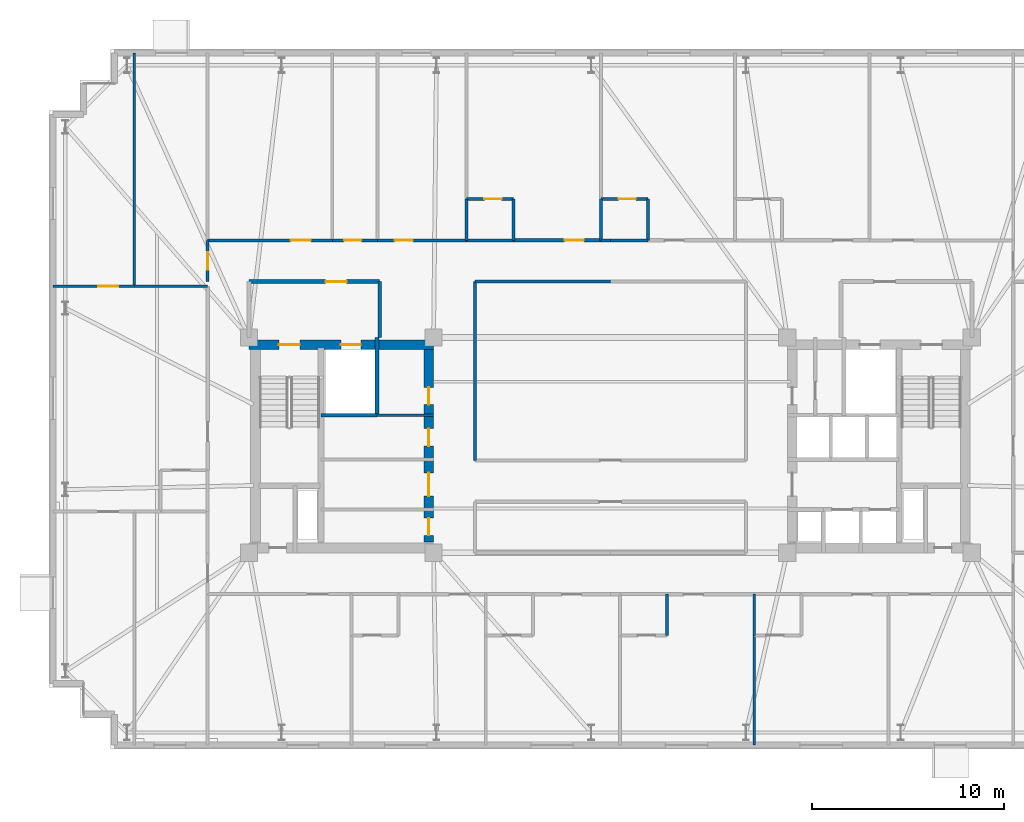
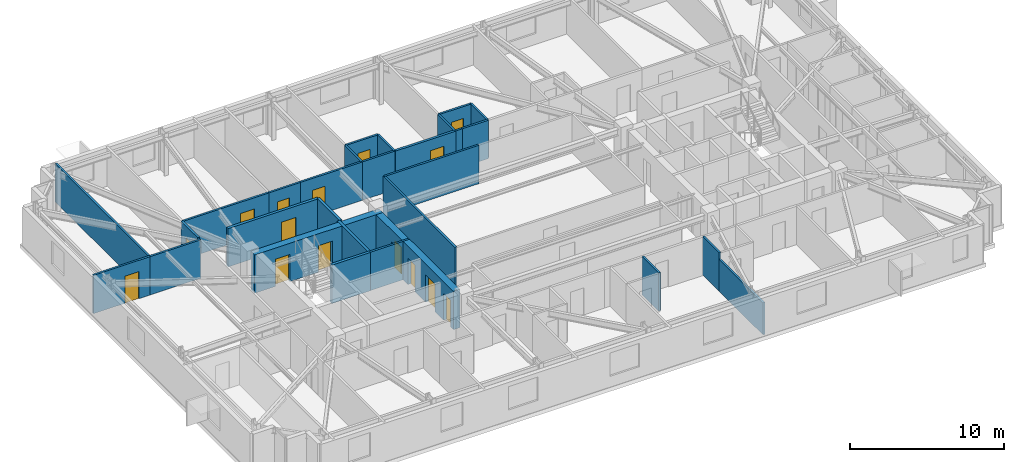
# One storey, part 12 of 17: 29 walls, 15 doors, 15 openings.
"""IFC4 building model written with IfcOpenShell, lengths in metres."""

from ifc_helpers import new_model, si_unit, direction, frame, frame_2d, origin, place, context, subcontext, project, spatial, rectangle, extrude, material, layer, layer_set, type_object, element, fill, save


model = new_model("IFC4")

# Units and contexts
model_context = context("Model", 3, precision=1e-05, world=origin(), true_north=direction((0.0, 1.0)))
body_context = subcontext(model_context, "Body", "Model", "MODEL_VIEW")
ifc_project = project(units=[si_unit("LENGTHUNIT", "METRE"), si_unit("AREAUNIT", "SQUARE_METRE"), si_unit("VOLUMEUNIT", "CUBIC_METRE"), si_unit("PLANEANGLEUNIT", "RADIAN"), si_unit("MASSUNIT", "GRAM", prefix="KILO")], contexts=[model_context])

# Site, building, storey
site_placement = place(None, origin())
site = spatial("IfcSite", under=ifc_project, at=site_placement, CompositionType="ELEMENT")
building_placement = place(site_placement, origin())
building = spatial("IfcBuilding", under=site, at=building_placement, Name="Qobustan Lattice House", CompositionType="ELEMENT")
storey_placement = place(building_placement, frame((0.0, 0.0, 157.800048828125)))
storey = spatial("IfcBuildingStorey", under=building, at=storey_placement, Name="L44", CompositionType="ELEMENT", Elevation=157.800048828125)

# Wall, openings, doors
ifc_material_1 = material(Name="Concrete C50/60", Category="concrete")
ifc_layer_1 = layer(ifc_material_1, 0.5)
ifc_layer_set_1 = layer_set([ifc_layer_1], Name="Concrete C50/60")
wall_type_1 = type_object("IfcWallType", Name="WAL-CORE-500", PredefinedType="SHEAR", material=ifc_layer_set_1)
wall_1_placement = place(storey_placement, frame((-18.800048828125, 5.2099609375, 0.0), z_axis=(0.0, 0.0, 1.0), x_axis=(1.0, 0.0, 0.0)))
wall_1 = element("IfcWall", 1, at=wall_1_placement, inside=storey, type_object=wall_type_1, Name="L44 split-core shear wall CW-N", PredefinedType="SHEAR", context=body_context, shape_type="SweptSolid", body=[
    extrude(rectangle(XDim=9.60009765625, YDim=0.5, at=frame_2d((4.800048828125, 0.0))), origin(), (0.0, 0.0, 1.0), 3.0400390625),
])
opening_1_placement = place(wall_1_placement, frame((1.550048828125, 0.0, 0.0)))
opening_1 = element("IfcOpeningElement", 2, at=opening_1_placement, cuts=wall_1, Name="Opening SD-01", PredefinedType="OPENING", context=body_context, shape_type="SweptSolid", body=[
    extrude(rectangle(XDim=1.10009765625, YDim=2.14990234375, at=frame_2d((0.550048828125, 1.074951171875))), frame((0.0, 0.260009765625, 0.0), z_axis=(0.0, -1.0, 0.0), x_axis=(1.0, 0.0, 0.0)), (0.0, 0.0, 1.0), 0.52001953125),
])
opening_2_placement = place(wall_1_placement, frame((4.77490234375, 0.0, 0.0)))
opening_2 = element("IfcOpeningElement", 3, at=opening_2_placement, cuts=wall_1, Name="Opening LD-01", PredefinedType="OPENING", context=body_context, shape_type="SweptSolid", body=[
    extrude(rectangle(XDim=1.050048828125, YDim=2.10009765625, at=frame_2d((0.52490234375, 1.050048828125))), frame((0.0, 0.260009765625, 0.0), z_axis=(0.0, -1.0, 0.0), x_axis=(1.0, 0.0, 0.0)), (0.0, 0.0, 1.0), 0.52001953125),
])
ifc_material_2 = material(Name="Persian walnut timber and steel frame door", Category="steel")
door_type_1 = type_object("IfcDoorType", Name="DOR-LIFT-LD-1050x2100", OperationType="NOTDEFINED", PredefinedType="DOOR", material=ifc_material_2)
door_1_placement = place(opening_2_placement, origin())
door_1 = element("IfcDoor", 4, at=door_1_placement, inside=storey, type_object=door_type_1, Name="L44 firefighting lift FF-W landing door", OperationType="DOUBLE_DOOR_SLIDING", OverallHeight=2.10009765625, OverallWidth=1.050048828125, PredefinedType="DOOR", context=body_context, shape_type="SweptSolid", body=[
    extrude(rectangle(XDim=1.050048828125, YDim=2.10009765625, at=frame_2d((0.52490234375, 1.050048828125))), frame((0.0, 0.02490234375, 0.0), z_axis=(0.0, -1.0, 0.0), x_axis=(1.0, 0.0, 0.0)), (0.0, 0.0, 1.0), 0.050048828125),
])
fill(opening_2, door_1)
ifc_material_3 = material(Name="Persian walnut timber and steel frame door", Category="steel")
door_type_2 = type_object("IfcDoorType", Name="DOR-STAIR-FD-1100x2150", OperationType="NOTDEFINED", PredefinedType="DOOR", material=ifc_material_3)
door_2_placement = place(opening_1_placement, origin())
door_2 = element("IfcDoor", 5, at=door_2_placement, inside=storey, type_object=door_type_2, Name="L44 exit stair ST-W1 fire door", OperationType="SINGLE_SWING_LEFT", OverallHeight=2.14990234375, OverallWidth=1.10009765625, PredefinedType="DOOR", context=body_context, shape_type="SweptSolid", body=[
    extrude(rectangle(XDim=1.10009765625, YDim=2.14990234375, at=frame_2d((0.550048828125, 1.074951171875))), frame((0.0, 0.02490234375, 0.0), z_axis=(0.0, -1.0, 0.0), x_axis=(1.0, 0.0, 0.0)), (0.0, 0.0, 1.0), 0.050048828125),
])
fill(opening_1, door_2)

wall_2_placement = place(storey_placement, frame((-9.449951171875, -5.050048828125, 0.0), z_axis=(0.0, 0.0, 1.0), x_axis=(0.0, 1.0, 0.0)))
wall_2 = element("IfcWall", 6, at=wall_2_placement, inside=storey, type_object=wall_type_1, Name="L44 split-core shear wall CW-E", PredefinedType="SHEAR", context=body_context, shape_type="SweptSolid", body=[
    extrude(rectangle(XDim=10.10009765625, YDim=0.5, at=frame_2d((5.050048828125, 0.0))), origin(), (0.0, 0.0, 1.0), 3.0400390625),
])
opening_3_placement = place(wall_2_placement, frame((7.14990234375, 0.0, 0.0)))
opening_3 = element("IfcOpeningElement", 7, at=opening_3_placement, cuts=wall_2, Name="Opening RD-01", PredefinedType="OPENING", context=body_context, shape_type="SweptSolid", body=[
    extrude(rectangle(XDim=0.89990234375, YDim=2.10009765625, at=frame_2d((0.449951171875, 1.050048828125))), frame((0.0, 0.260009765625, 0.0), z_axis=(0.0, -1.0, 0.0), x_axis=(1.0, 0.0, 0.0)), (0.0, 0.0, 1.0), 0.52001953125),
])
opening_4_placement = place(wall_2_placement, frame((2.39990234375, 0.0, 0.0)))
opening_4 = element("IfcOpeningElement", 8, at=opening_4_placement, cuts=wall_2, Name="Opening FD-01", PredefinedType="OPENING", context=body_context, shape_type="SweptSolid", body=[
    extrude(rectangle(XDim=1.199951171875, YDim=2.14990234375, at=frame_2d((0.60009765625, 1.074951171875))), frame((0.0, 0.260009765625, 0.0), z_axis=(0.0, -1.0, 0.0), x_axis=(1.0, 0.0, 0.0)), (0.0, 0.0, 1.0), 0.52001953125),
])
opening_5_placement = place(wall_2_placement, frame((0.35009765625, 0.0, 0.0)))
opening_5 = element("IfcOpeningElement", 9, at=opening_5_placement, cuts=wall_2, Name="Opening RD-01", PredefinedType="OPENING", context=body_context, shape_type="SweptSolid", body=[
    extrude(rectangle(XDim=0.89990234375, YDim=2.10009765625, at=frame_2d((0.449951171875, 1.050048828125))), frame((0.0, 0.260009765625, 0.0), z_axis=(0.0, -1.0, 0.0), x_axis=(1.0, 0.0, 0.0)), (0.0, 0.0, 1.0), 0.52001953125),
])
opening_6_placement = place(wall_2_placement, frame((5.0, 0.0, 0.0)))
opening_6 = element("IfcOpeningElement", 10, at=opening_6_placement, cuts=wall_2, Name="Opening RD-01", PredefinedType="OPENING", context=body_context, shape_type="SweptSolid", body=[
    extrude(rectangle(XDim=0.89990234375, YDim=2.10009765625, at=frame_2d((0.449951171875, 1.050048828125))), frame((0.0, 0.260009765625, 0.0), z_axis=(0.0, -1.0, 0.0), x_axis=(1.0, 0.0, 0.0)), (0.0, 0.0, 1.0), 0.52001953125),
])
ifc_material_4 = material(Name="Persian walnut timber and steel frame door", Category="steel")
door_type_3 = type_object("IfcDoorType", Name="DOR-LOBBY-FD-1200x2150", OperationType="NOTDEFINED", PredefinedType="DOOR", material=ifc_material_4)
door_3_placement = place(opening_4_placement, origin())
door_3 = element("IfcDoor", 11, at=door_3_placement, inside=storey, type_object=door_type_3, Name="L44 West core foyer fire door", OperationType="SINGLE_SWING_LEFT", OverallHeight=2.14990234375, OverallWidth=1.199951171875, PredefinedType="DOOR", context=body_context, shape_type="SweptSolid", body=[
    extrude(rectangle(XDim=1.199951171875, YDim=2.14990234375, at=frame_2d((0.60009765625, 1.074951171875))), frame((0.0, 0.02490234375, 0.0), z_axis=(0.0, -1.0, 0.0), x_axis=(1.0, 0.0, 0.0)), (0.0, 0.0, 1.0), 0.050048828125),
])
fill(opening_4, door_3)
ifc_material_5 = material(Name="Persian walnut timber and steel frame door", Category="steel")
door_type_4 = type_object("IfcDoorType", Name="DOR-RISER-FD-900x2100", OperationType="NOTDEFINED", PredefinedType="DOOR", material=ifc_material_5)
door_4_placement = place(opening_3_placement, origin())
door_4 = element("IfcDoor", 12, at=door_4_placement, inside=storey, type_object=door_type_4, Name="L44 Floor tea pantry fire door", OperationType="SINGLE_SWING_RIGHT", OverallHeight=2.10009765625, OverallWidth=0.89990234375, PredefinedType="DOOR", context=body_context, shape_type="SweptSolid", body=[
    extrude(rectangle(XDim=0.89990234375, YDim=2.10009765625, at=frame_2d((0.449951171875, 1.050048828125))), frame((0.0, 0.02490234375, 0.0), z_axis=(0.0, -1.0, 0.0), x_axis=(1.0, 0.0, 0.0)), (0.0, 0.0, 1.0), 0.050048828125),
])
fill(opening_3, door_4)
door_5_placement = place(opening_5_placement, origin())
door_5 = element("IfcDoor", 13, at=door_5_placement, inside=storey, type_object=door_type_4, Name="L44 Tutorial seminar salon fire door", OperationType="SINGLE_SWING_RIGHT", OverallHeight=2.10009765625, OverallWidth=0.89990234375, PredefinedType="DOOR", context=body_context, shape_type="SweptSolid", body=[
    extrude(rectangle(XDim=0.89990234375, YDim=2.10009765625, at=frame_2d((0.449951171875, 1.050048828125))), frame((0.0, 0.02490234375, 0.0), z_axis=(0.0, -1.0, 0.0), x_axis=(1.0, 0.0, 0.0)), (0.0, 0.0, 1.0), 0.050048828125),
])
fill(opening_5, door_5)
door_6_placement = place(opening_6_placement, origin())
door_6 = element("IfcDoor", 14, at=door_6_placement, inside=storey, type_object=door_type_4, Name="L44 Copy and tea hub fire door", OperationType="SINGLE_SWING_LEFT", OverallHeight=2.10009765625, OverallWidth=0.89990234375, PredefinedType="DOOR", context=body_context, shape_type="SweptSolid", body=[
    extrude(rectangle(XDim=0.89990234375, YDim=2.10009765625, at=frame_2d((0.449951171875, 1.050048828125))), frame((0.0, 0.02490234375, 0.0), z_axis=(0.0, -1.0, 0.0), x_axis=(1.0, 0.0, 0.0)), (0.0, 0.0, 1.0), 0.050048828125),
])
fill(opening_6, door_6)

# Wall, opening, door
ifc_material_6 = material(Name="Gypsum fireboard acoustic partition", Category="gypsum")
ifc_layer_2 = layer(ifc_material_6, 0.179931640625)
ifc_layer_set_2 = layer_set([ifc_layer_2], Name="Gypsum fireboard acoustic partition")
wall_type_2 = type_object("IfcWallType", Name="WAL-FIRE-180", PredefinedType="PARTITIONING", material=ifc_layer_set_2)
wall_3_placement = place(storey_placement, frame((-5.032958984375, 10.64990234375, 0.0), z_axis=(0.0, 0.0, 1.0), x_axis=(1.0, 0.0, 0.0)))
wall_3 = element("IfcWall", 15, at=wall_3_placement, inside=storey, type_object=wall_type_2, Name="L44 interior partition 35", PredefinedType="PARTITIONING", context=body_context, shape_type="SweptSolid", body=[
    extrude(rectangle(XDim=4.532958984375, YDim=0.179931640625, at=frame_2d((2.2666015625, 0.0))), origin(), (0.0, 0.0, 1.0), 3.0400390625),
])
opening_7_placement = place(wall_3_placement, frame((2.656494140625, 0.0, 0.0)))
opening_7 = element("IfcOpeningElement", 16, at=opening_7_placement, cuts=wall_3, Name="Opening FD-02", PredefinedType="OPENING", context=body_context, shape_type="SweptSolid", body=[
    extrude(rectangle(XDim=1.0, YDim=2.14990234375, at=frame_2d((0.5, 1.074951171875))), frame((0.0, 0.099853515625, 0.0), z_axis=(0.0, -1.0, 0.0), x_axis=(1.0, 0.0, 0.0)), (0.0, 0.0, 1.0), 0.199951171875),
])
ifc_material_7 = material(Name="Persian walnut timber and steel frame door", Category="steel")
door_type_5 = type_object("IfcDoorType", Name="DOR-UNIT-FD-1000x2150", OperationType="NOTDEFINED", PredefinedType="DOOR", material=ifc_material_7)
door_7_placement = place(opening_7_placement, origin())
door_7 = element("IfcDoor", 17, at=door_7_placement, inside=storey, type_object=door_type_5, Name="L44 North-west floor corridor to Kitchenette and studio apartment L44-N3 door", OperationType="SINGLE_SWING_RIGHT", OverallHeight=2.14990234375, OverallWidth=1.0, PredefinedType="DOOR", context=body_context, shape_type="SweptSolid", body=[
    extrude(rectangle(XDim=1.0, YDim=2.14990234375, at=frame_2d((0.5, 1.074951171875))), frame((0.0, 0.02490234375, 0.0), z_axis=(0.0, -1.0, 0.0), x_axis=(1.0, 0.0, 0.0)), (0.0, 0.0, 1.0), 0.050048828125),
])
fill(opening_7, door_7)

# Wall
ifc_material_8 = material(Name="Acoustic twin-stud gypsum partition", Category="gypsum")
ifc_layer_3 = layer(ifc_material_8, 0.14990234375)
ifc_layer_set_3 = layer_set([ifc_layer_3], Name="Acoustic twin-stud gypsum partition")
wall_type_3 = type_object("IfcWallType", Name="WAL-PART-150", PredefinedType="PARTITIONING", material=ifc_layer_set_3)
wall_4_placement = place(storey_placement, frame((-12.14990234375, 1.550048828125, 0.0), z_axis=(0.0, 0.0, 1.0), x_axis=(1.0, 0.0, 0.0)))
element("IfcWall", 18, at=wall_4_placement, inside=storey, type_object=wall_type_3, Name="L44 interior partition 6", PredefinedType="PARTITIONING", context=body_context, shape_type="SweptSolid", body=[
    extrude(rectangle(XDim=2.949951171875, YDim=0.14990234375, at=frame_2d((1.47509765625, 0.0))), origin(), (0.0, 0.0, 1.0), 3.0400390625),
])

# Wall, opening, door
wall_5_placement = place(storey_placement, frame((-20.949951171875, 8.5, 0.0), z_axis=(0.0, 0.0, 1.0), x_axis=(0.0, 1.0, 0.0)))
wall_5 = element("IfcWall", 19, at=wall_5_placement, inside=storey, type_object=wall_type_3, Name="L44 interior partition 31", PredefinedType="PARTITIONING", context=body_context, shape_type="SweptSolid", body=[
    extrude(rectangle(XDim=2.14990234375, YDim=0.14990234375, at=frame_2d((1.074951171875, 0.0))), origin(), (0.0, 0.0, 1.0), 3.0400390625),
])
opening_8_placement = place(wall_5_placement, frame((0.625, 0.0, 0.0)))
opening_8 = element("IfcOpeningElement", 20, at=opening_8_placement, cuts=wall_5, Name="Opening WD-01", PredefinedType="OPENING", context=body_context, shape_type="SweptSolid", body=[
    extrude(rectangle(XDim=0.89990234375, YDim=2.10009765625, at=frame_2d((0.449951171875, 1.050048828125))), frame((0.0, 0.0849609375, 0.0), z_axis=(0.0, -1.0, 0.0), x_axis=(1.0, 0.0, 0.0)), (0.0, 0.0, 1.0), 0.169921875),
])
ifc_material_9 = material(Name="Persian walnut timber and steel frame door", Category="steel")
door_type_6 = type_object("IfcDoorType", Name="DOR-WET-900x2100", OperationType="NOTDEFINED", PredefinedType="DOOR", material=ifc_material_9)
door_8_placement = place(opening_8_placement, origin())
door_8 = element("IfcDoor", 21, at=door_8_placement, inside=storey, type_object=door_type_6, Name="L44 North-west floor corridor to Focus study room W3B door", OperationType="SINGLE_SWING_RIGHT", OverallHeight=2.10009765625, OverallWidth=0.89990234375, PredefinedType="DOOR", context=body_context, shape_type="SweptSolid", body=[
    extrude(rectangle(XDim=0.89990234375, YDim=2.10009765625, at=frame_2d((0.449951171875, 1.050048828125))), frame((0.0, 0.02490234375, 0.0), z_axis=(0.0, -1.0, 0.0), x_axis=(1.0, 0.0, 0.0)), (0.0, 0.0, 1.0), 0.050048828125),
])
fill(opening_8, door_8)

wall_6_placement = place(storey_placement, frame((-20.949951171875, 10.64990234375, 0.0), z_axis=(0.0, 0.0, 1.0), x_axis=(1.0, 0.0, 0.0)))
wall_6 = element("IfcWall", 22, at=wall_6_placement, inside=storey, type_object=wall_type_3, Name="L44 interior partition 32", PredefinedType="PARTITIONING", context=body_context, shape_type="SweptSolid", body=[
    extrude(rectangle(XDim=6.48291015625, YDim=0.14990234375, at=frame_2d((3.241455078125, 0.0))), origin(), (0.0, 0.0, 1.0), 3.0400390625),
])
opening_9_placement = place(wall_6_placement, frame((4.31884765625, 0.0, 0.0)))
opening_9 = element("IfcOpeningElement", 23, at=opening_9_placement, cuts=wall_6, Name="Opening ID-02", PredefinedType="OPENING", context=body_context, shape_type="SweptSolid", body=[
    extrude(rectangle(XDim=1.050048828125, YDim=2.14990234375, at=frame_2d((0.52490234375, 1.074951171875))), frame((0.0, 0.0849609375, 0.0), z_axis=(0.0, -1.0, 0.0), x_axis=(1.0, 0.0, 0.0)), (0.0, 0.0, 1.0), 0.169921875),
])
ifc_material_10 = material(Name="Persian walnut timber and steel frame door", Category="steel")
door_type_7 = type_object("IfcDoorType", Name="DOR-STUDY-1050x2150", OperationType="NOTDEFINED", PredefinedType="DOOR", material=ifc_material_10)
door_9_placement = place(opening_9_placement, origin())
door_9 = element("IfcDoor", 24, at=door_9_placement, inside=storey, type_object=door_type_7, Name="L44 North-west floor corridor to Focus study room N1 door", OperationType="SINGLE_SWING_LEFT", OverallHeight=2.14990234375, OverallWidth=1.050048828125, PredefinedType="DOOR", context=body_context, shape_type="SweptSolid", body=[
    extrude(rectangle(XDim=1.050048828125, YDim=2.14990234375, at=frame_2d((0.52490234375, 1.074951171875))), frame((0.0, 0.02490234375, 0.0), z_axis=(0.0, -1.0, 0.0), x_axis=(1.0, 0.0, 0.0)), (0.0, 0.0, 1.0), 0.050048828125),
])
fill(opening_9, door_9)

wall_7_placement = place(storey_placement, frame((-12.116943359375, 10.64990234375, 0.0), z_axis=(0.0, 0.0, 1.0), x_axis=(1.0, 0.0, 0.0)))
wall_7 = element("IfcWall", 25, at=wall_7_placement, inside=storey, type_object=wall_type_3, Name="L44 interior partition 34", PredefinedType="PARTITIONING", context=body_context, shape_type="SweptSolid", body=[
    extrude(rectangle(XDim=4.634033203125, YDim=0.14990234375, at=frame_2d((2.31689453125, 0.0))), origin(), (0.0, 0.0, 1.0), 3.0400390625),
])
opening_10_placement = place(wall_7_placement, frame((0.8955078125, 0.0, 0.0)))
opening_10 = element("IfcOpeningElement", 26, at=opening_10_placement, cuts=wall_7, Name="Opening ID-01", PredefinedType="OPENING", context=body_context, shape_type="SweptSolid", body=[
    extrude(rectangle(XDim=0.949951171875, YDim=2.10009765625, at=frame_2d((0.47509765625, 1.050048828125))), frame((0.0, 0.0849609375, 0.0), z_axis=(0.0, -1.0, 0.0), x_axis=(1.0, 0.0, 0.0)), (0.0, 0.0, 1.0), 0.169921875),
])
ifc_material_11 = material(Name="Persian walnut timber and steel frame door", Category="steel")
door_type_8 = type_object("IfcDoorType", Name="DOR-ROOM-950x2100", OperationType="NOTDEFINED", PredefinedType="DOOR", material=ifc_material_11)
door_10_placement = place(opening_10_placement, origin())
door_10 = element("IfcDoor", 27, at=door_10_placement, inside=storey, type_object=door_type_8, Name="L44 North-west floor corridor to Laundry utility room door", OperationType="SINGLE_SWING_LEFT", OverallHeight=2.10009765625, OverallWidth=0.949951171875, PredefinedType="DOOR", context=body_context, shape_type="SweptSolid", body=[
    extrude(rectangle(XDim=0.949951171875, YDim=2.10009765625, at=frame_2d((0.47509765625, 1.050048828125))), frame((0.0, 0.02490234375, 0.0), z_axis=(0.0, -1.0, 0.0), x_axis=(1.0, 0.0, 0.0)), (0.0, 0.0, 1.0), 0.050048828125),
])
fill(opening_10, door_10)

# Walls
wall_8_placement = place(storey_placement, frame((0.0, 8.5, 0.0), z_axis=(0.0, 0.0, 1.0), x_axis=(-1.0, 0.0, 0.0)))
element("IfcWall", 28, at=wall_8_placement, inside=storey, type_object=wall_type_3, Name="L44 interior partition 38", PredefinedType="PARTITIONING", context=body_context, shape_type="SweptSolid", body=[
    extrude(rectangle(XDim=7.050048828125, YDim=0.14990234375, at=frame_2d((3.52490234375, 0.0))), origin(), (0.0, 0.0, 1.0), 3.0400390625),
])
wall_9_placement = place(storey_placement, frame((-7.050048828125, 8.5, 0.0), z_axis=(0.0, 0.0, 1.0), x_axis=(0.0, -1.0, 0.0)))
element("IfcWall", 29, at=wall_9_placement, inside=storey, type_object=wall_type_3, Name="L44 interior partition 67", PredefinedType="PARTITIONING", context=body_context, shape_type="SweptSolid", body=[
    extrude(rectangle(XDim=9.300048828125, YDim=0.14990234375, at=frame_2d((4.64990234375, 0.0))), origin(), (0.0, 0.0, 1.0), 3.0400390625),
])

# Wall, opening, door
wall_10_placement = place(storey_placement, frame((-29.0, 8.260009765625, 0.0), z_axis=(0.0, 0.0, 1.0), x_axis=(1.0, 0.0, 0.0)))
wall_10 = element("IfcWall", 30, at=wall_10_placement, inside=storey, type_object=wall_type_3, Name="L44 interior partition 78", PredefinedType="PARTITIONING", context=body_context, shape_type="SweptSolid", body=[
    extrude(rectangle(XDim=4.235107421875, YDim=0.14990234375, at=frame_2d((2.11767578125, 0.0))), origin(), (0.0, 0.0, 1.0), 3.0400390625),
])
opening_11_placement = place(wall_10_placement, frame((2.351806640625, 0.0, 0.0)))
opening_11 = element("IfcOpeningElement", 31, at=opening_11_placement, cuts=wall_10, Name="Opening ID-02", PredefinedType="OPENING", context=body_context, shape_type="SweptSolid", body=[
    extrude(rectangle(XDim=1.050048828125, YDim=2.14990234375, at=frame_2d((0.52490234375, 1.074951171875))), frame((0.0, 0.0849609375, 0.0), z_axis=(0.0, -1.0, 0.0), x_axis=(1.0, 0.0, 0.0)), (0.0, 0.0, 1.0), 0.169921875),
])
door_11_placement = place(opening_11_placement, origin())
door_11 = element("IfcDoor", 32, at=door_11_placement, inside=storey, type_object=door_type_7, Name="L44 Kitchenette and studio apartment L44-W2 to Focus study room W3A door", OperationType="SINGLE_SWING_LEFT", OverallHeight=2.14990234375, OverallWidth=1.050048828125, PredefinedType="DOOR", context=body_context, shape_type="SweptSolid", body=[
    extrude(rectangle(XDim=1.050048828125, YDim=2.14990234375, at=frame_2d((0.52490234375, 1.074951171875))), frame((0.0, 0.02490234375, 0.0), z_axis=(0.0, -1.0, 0.0), x_axis=(1.0, 0.0, 0.0)), (0.0, 0.0, 1.0), 0.050048828125),
])
fill(opening_11, door_11)

# Walls
wall_11_placement = place(storey_placement, frame((-24.764892578125, 8.260009765625, 0.0), z_axis=(0.0, 0.0, 1.0), x_axis=(1.0, 0.0, 0.0)))
element("IfcWall", 33, at=wall_11_placement, inside=storey, type_object=wall_type_3, Name="L44 interior partition 79", PredefinedType="PARTITIONING", context=body_context, shape_type="SweptSolid", body=[
    extrude(rectangle(XDim=3.81494140625, YDim=0.14990234375, at=frame_2d((1.907470703125, 0.0))), origin(), (0.0, 0.0, 1.0), 3.0400390625),
])
wall_12_placement = place(storey_placement, frame((-24.764892578125, 20.39990234375, 0.0), z_axis=(0.0, 0.0, 1.0), x_axis=(0.0, -1.0, 0.0)))
element("IfcWall", 34, at=wall_12_placement, inside=storey, type_object=wall_type_3, Name="L44 interior partition 80", PredefinedType="PARTITIONING", context=body_context, shape_type="SweptSolid", body=[
    extrude(rectangle(XDim=12.139892578125, YDim=0.14990234375, at=frame_2d((6.06982421875, 0.0))), origin(), (0.0, 0.0, 1.0), 3.0400390625),
])
wall_13_placement = place(storey_placement, frame((7.48291015625, -9.89990234375, 0.0), z_axis=(0.0, 0.0, 1.0), x_axis=(0.0, -1.0, 0.0)))
element("IfcWall", 35, at=wall_13_placement, inside=storey, type_object=wall_type_3, Name="L44 interior partition 124", PredefinedType="PARTITIONING", context=body_context, shape_type="SweptSolid", body=[
    extrude(rectangle(XDim=5.7001953125, YDim=0.14990234375, at=frame_2d((2.85009765625, 0.0))), origin(), (0.0, 0.0, 1.0), 2.52490234375),
])

# Wall, opening, door
ifc_material_12 = material(Name="Two-hour gypsum fireboard acoustic partition", Category="gypsum")
ifc_layer_4 = layer(ifc_material_12, 0.199951171875)
ifc_layer_set_4 = layer_set([ifc_layer_4], Name="Two-hour gypsum fireboard acoustic partition")
wall_type_4 = type_object("IfcWallType", Name="WAL-PROT-200", PredefinedType="PARTITIONING", material=ifc_layer_set_4)
wall_14_placement = place(storey_placement, frame((-12.0, 8.5, 0.0), z_axis=(0.0, 0.0, 1.0), x_axis=(-1.0, 0.0, 0.0)))
wall_14 = element("IfcWall", 36, at=wall_14_placement, inside=storey, type_object=wall_type_4, Name="L44 interior partition 3", PredefinedType="PARTITIONING", context=body_context, shape_type="SweptSolid", body=[
    extrude(rectangle(XDim=6.800048828125, YDim=0.199951171875, at=frame_2d((3.39990234375, 0.0))), origin(), (0.0, 0.0, 1.0), 3.0400390625),
])
opening_12_placement = place(wall_14_placement, frame((1.715087890625, 0.0, 0.0)))
opening_12 = element("IfcOpeningElement", 37, at=opening_12_placement, cuts=wall_14, Name="Opening SD-01", PredefinedType="OPENING", context=body_context, shape_type="SweptSolid", body=[
    extrude(rectangle(XDim=1.10009765625, YDim=2.14990234375, at=frame_2d((0.550048828125, 1.074951171875))), frame((0.0, 0.10986328125, 0.0), z_axis=(0.0, -1.0, 0.0), x_axis=(1.0, 0.0, 0.0)), (0.0, 0.0, 1.0), 0.219970703125),
])
door_12_placement = place(opening_12_placement, origin())
door_12 = element("IfcDoor", 38, at=door_12_placement, inside=storey, type_object=door_type_2, Name="L44 West firefighting lift lobby to North-west floor corridor door", OperationType="SINGLE_SWING_LEFT", OverallHeight=2.14990234375, OverallWidth=1.10009765625, PredefinedType="DOOR", context=body_context, shape_type="SweptSolid", body=[
    extrude(rectangle(XDim=1.10009765625, YDim=2.14990234375, at=frame_2d((0.550048828125, 1.074951171875))), frame((0.0, 0.02490234375, 0.0), z_axis=(0.0, -1.0, 0.0), x_axis=(1.0, 0.0, 0.0)), (0.0, 0.0, 1.0), 0.050048828125),
])
fill(opening_12, door_12)

# Walls
wall_15_placement = place(storey_placement, frame((-12.0, 5.60009765625, 0.0), z_axis=(0.0, 0.0, 1.0), x_axis=(0.0, 1.0, 0.0)))
element("IfcWall", 39, at=wall_15_placement, inside=storey, type_object=wall_type_4, Name="L44 interior partition 5", PredefinedType="PARTITIONING", context=body_context, shape_type="SweptSolid", body=[
    extrude(rectangle(XDim=2.89990234375, YDim=0.199951171875, at=frame_2d((1.449951171875, 0.0))), origin(), (0.0, 0.0, 1.0), 3.0400390625),
])
ifc_material_13 = material(Name="Concrete C40/50", Category="concrete")
ifc_layer_5 = layer(ifc_material_13, 0.199951171875)
ifc_layer_set_5 = layer_set([ifc_layer_5], Name="Concrete C40/50")
wall_type_5 = type_object("IfcWallType", Name="WAL-SHAFT-200", PredefinedType="PARTITIONING", material=ifc_layer_set_5)
wall_16_placement = place(storey_placement, frame((-12.14990234375, 1.550048828125, 0.0), z_axis=(0.0, 0.0, 1.0), x_axis=(0.0, 1.0, 0.0)))
element("IfcWall", 40, at=wall_16_placement, inside=storey, type_object=wall_type_5, Name="L44 interior partition 2", PredefinedType="PARTITIONING", context=body_context, shape_type="SweptSolid", body=[
    extrude(rectangle(XDim=4.050048828125, YDim=0.199951171875, at=frame_2d((2.02490234375, 0.0))), origin(), (0.0, 0.0, 1.0), 3.0400390625),
])
wall_17_placement = place(storey_placement, frame((-15.050048828125, 1.550048828125, 0.0), z_axis=(0.0, 0.0, 1.0), x_axis=(1.0, 0.0, 0.0)))
element("IfcWall", 41, at=wall_17_placement, inside=storey, type_object=wall_type_5, Name="L44 interior partition 129", PredefinedType="PARTITIONING", context=body_context, shape_type="SweptSolid", body=[
    extrude(rectangle(XDim=2.900146484375, YDim=0.199951171875, at=frame_2d((1.4501953125, 0.0))), origin(), (0.0, 0.0, 1.0), 3.0400390625),
])

# Wall, opening, door
ifc_material_14 = material(Name="Moisture-resistant acoustic plumbing wall", Category="gypsum")
ifc_layer_6 = layer(ifc_material_14, 0.14990234375)
ifc_layer_set_6 = layer_set([ifc_layer_6], Name="Moisture-resistant acoustic plumbing wall")
wall_type_6 = type_object("IfcWallType", Name="WAL-WET-150", PredefinedType="PLUMBINGWALL", material=ifc_layer_set_6)
wall_18_placement = place(storey_placement, frame((-14.467041015625, 10.64990234375, 0.0), z_axis=(0.0, 0.0, 1.0), x_axis=(1.0, 0.0, 0.0)))
wall_18 = element("IfcWall", 42, at=wall_18_placement, inside=storey, type_object=wall_type_6, Name="L44 interior partition 33", PredefinedType="PLUMBINGWALL", context=body_context, shape_type="SweptSolid", body=[
    extrude(rectangle(XDim=2.35009765625, YDim=0.14990234375, at=frame_2d((1.175048828125, 0.0))), origin(), (0.0, 0.0, 1.0), 3.0400390625),
])
opening_13_placement = place(wall_18_placement, frame((0.6162109375, 0.0, 0.0)))
opening_13 = element("IfcOpeningElement", 43, at=opening_13_placement, cuts=wall_18, Name="Opening WD-01", PredefinedType="OPENING", context=body_context, shape_type="SweptSolid", body=[
    extrude(rectangle(XDim=0.89990234375, YDim=2.10009765625, at=frame_2d((0.449951171875, 1.050048828125))), frame((0.0, 0.0849609375, 0.0), z_axis=(0.0, -1.0, 0.0), x_axis=(1.0, 0.0, 0.0)), (0.0, 0.0, 1.0), 0.169921875),
])
door_13_placement = place(opening_13_placement, origin())
door_13 = element("IfcDoor", 44, at=door_13_placement, inside=storey, type_object=door_type_6, Name="L44 North-west floor corridor to Accessible WC door", OperationType="SINGLE_SWING_RIGHT", OverallHeight=2.10009765625, OverallWidth=0.89990234375, PredefinedType="DOOR", context=body_context, shape_type="SweptSolid", body=[
    extrude(rectangle(XDim=0.89990234375, YDim=2.10009765625, at=frame_2d((0.449951171875, 1.050048828125))), frame((0.0, 0.02490234375, 0.0), z_axis=(0.0, -1.0, 0.0), x_axis=(1.0, 0.0, 0.0)), (0.0, 0.0, 1.0), 0.050048828125),
])
fill(opening_13, door_13)

# Walls
wall_19_placement = place(storey_placement, frame((-7.48291015625, 10.64990234375, 0.0), z_axis=(0.0, 0.0, 1.0), x_axis=(1.0, 0.0, 0.0)))
element("IfcWall", 45, at=wall_19_placement, inside=storey, type_object=wall_type_6, Name="L44 interior partition 36", PredefinedType="PLUMBINGWALL", context=body_context, shape_type="SweptSolid", body=[
    extrude(rectangle(XDim=2.449951171875, YDim=0.14990234375, at=frame_2d((1.22509765625, 0.0))), origin(), (0.0, 0.0, 1.0), 3.0400390625),
])
wall_20_placement = place(storey_placement, frame((-0.5, 10.64990234375, 0.0), z_axis=(0.0, 0.0, 1.0), x_axis=(1.0, 0.0, 0.0)))
element("IfcWall", 46, at=wall_20_placement, inside=storey, type_object=wall_type_6, Name="L44 interior partition 37", PredefinedType="PLUMBINGWALL", context=body_context, shape_type="SweptSolid", body=[
    extrude(rectangle(XDim=0.5, YDim=0.14990234375, at=frame_2d((0.25, 0.0))), origin(), (0.0, 0.0, 1.0), 3.0400390625),
])
wall_21_placement = place(storey_placement, frame((0.0, 10.64990234375, 0.0), z_axis=(0.0, 0.0, 1.0), x_axis=(1.0, 0.0, 0.0)))
element("IfcWall", 47, at=wall_21_placement, inside=storey, type_object=wall_type_6, Name="L44 interior partition 41", PredefinedType="PLUMBINGWALL", context=body_context, shape_type="SweptSolid", body=[
    extrude(rectangle(XDim=1.949951171875, YDim=0.14990234375, at=frame_2d((0.97509765625, 0.0))), origin(), (0.0, 0.0, 1.0), 3.0400390625),
])
wall_22_placement = place(storey_placement, frame((-7.48291015625, 12.800048828125, 0.0), z_axis=(0.0, 0.0, 1.0), x_axis=(0.0, -1.0, 0.0)))
element("IfcWall", 48, at=wall_22_placement, inside=storey, type_object=wall_type_6, Name="L44 interior partition 100", PredefinedType="PLUMBINGWALL", context=body_context, shape_type="SweptSolid", body=[
    extrude(rectangle(XDim=2.150146484375, YDim=0.14990234375, at=frame_2d((1.0751953125, 0.0))), origin(), (0.0, 0.0, 1.0), 3.0400390625),
])

# Wall, opening, door
wall_23_placement = place(storey_placement, frame((-5.032958984375, 12.800048828125, 0.0), z_axis=(0.0, 0.0, 1.0), x_axis=(-1.0, 0.0, 0.0)))
wall_23 = element("IfcWall", 49, at=wall_23_placement, inside=storey, type_object=wall_type_6, Name="L44 interior partition 101", PredefinedType="PLUMBINGWALL", context=body_context, shape_type="SweptSolid", body=[
    extrude(rectangle(XDim=2.449951171875, YDim=0.14990234375, at=frame_2d((1.22509765625, 0.0))), origin(), (0.0, 0.0, 1.0), 3.0400390625),
])
opening_14_placement = place(wall_23_placement, frame((0.628662109375, 0.0, 0.0)))
opening_14 = element("IfcOpeningElement", 50, at=opening_14_placement, cuts=wall_23, Name="Opening WD-01", PredefinedType="OPENING", context=body_context, shape_type="SweptSolid", body=[
    extrude(rectangle(XDim=0.89990234375, YDim=2.10009765625, at=frame_2d((0.449951171875, 1.050048828125))), frame((0.0, 0.0849609375, 0.0), z_axis=(0.0, -1.0, 0.0), x_axis=(1.0, 0.0, 0.0)), (0.0, 0.0, 1.0), 0.169921875),
])
door_14_placement = place(opening_14_placement, origin())
door_14 = element("IfcDoor", 51, at=door_14_placement, inside=storey, type_object=door_type_6, Name="L44 Kitchenette and studio apartment L44-N3 to En-suite bathroom L44-N3 door", OperationType="SINGLE_SWING_LEFT", OverallHeight=2.10009765625, OverallWidth=0.89990234375, PredefinedType="DOOR", context=body_context, shape_type="SweptSolid", body=[
    extrude(rectangle(XDim=0.89990234375, YDim=2.10009765625, at=frame_2d((0.449951171875, 1.050048828125))), frame((0.0, 0.02490234375, 0.0), z_axis=(0.0, -1.0, 0.0), x_axis=(1.0, 0.0, 0.0)), (0.0, 0.0, 1.0), 0.050048828125),
])
fill(opening_14, door_14)

# Walls
for number, where, z_axis, x_axis, name in (
    (52, (-5.032958984375, 10.64990234375, 0.0), (0.0, 0.0, 1.0), (0.0, 1.0, 0.0), "L44 interior partition 102"),
    (53, (-0.5, 12.800048828125, 0.0), (0.0, 0.0, 1.0), (0.0, -1.0, 0.0), "L44 interior partition 104"),
):
    element("IfcWall", number, at=place(storey_placement, frame(where, z_axis=z_axis, x_axis=x_axis)), inside=storey, type_object=wall_type_6, Name=name, PredefinedType="PLUMBINGWALL", context=body_context, shape_type="SweptSolid", body=[
        extrude(rectangle(XDim=2.150146484375, YDim=0.14990234375, at=frame_2d((1.0751953125, 0.0))), origin(), (0.0, 0.0, 1.0), 3.0400390625),
    ])

# Wall, opening, door
wall_24_placement = place(storey_placement, frame((1.949951171875, 12.800048828125, 0.0), z_axis=(0.0, 0.0, 1.0), x_axis=(-1.0, 0.0, 0.0)))
wall_24 = element("IfcWall", 54, at=wall_24_placement, inside=storey, type_object=wall_type_6, Name="L44 interior partition 105", PredefinedType="PLUMBINGWALL", context=body_context, shape_type="SweptSolid", body=[
    extrude(rectangle(XDim=2.449951171875, YDim=0.14990234375, at=frame_2d((1.22509765625, 0.0))), origin(), (0.0, 0.0, 1.0), 3.0400390625),
])
opening_15_placement = place(wall_24_placement, frame((0.62890625, 0.0, 0.0)))
opening_15 = element("IfcOpeningElement", 55, at=opening_15_placement, cuts=wall_24, Name="Opening WD-01", PredefinedType="OPENING", context=body_context, shape_type="SweptSolid", body=[
    extrude(rectangle(XDim=0.89990234375, YDim=2.10009765625, at=frame_2d((0.449951171875, 1.050048828125))), frame((0.0, 0.0849609375, 0.0), z_axis=(0.0, -1.0, 0.0), x_axis=(1.0, 0.0, 0.0)), (0.0, 0.0, 1.0), 0.169921875),
])
door_15_placement = place(opening_15_placement, origin())
door_15 = element("IfcDoor", 56, at=door_15_placement, inside=storey, type_object=door_type_6, Name="L44 Kitchenette and studio apartment L44-N4 to En-suite bathroom L44-N4 door", OperationType="SINGLE_SWING_RIGHT", OverallHeight=2.10009765625, OverallWidth=0.89990234375, PredefinedType="DOOR", context=body_context, shape_type="SweptSolid", body=[
    extrude(rectangle(XDim=0.89990234375, YDim=2.10009765625, at=frame_2d((0.449951171875, 1.050048828125))), frame((0.0, 0.02490234375, 0.0), z_axis=(0.0, -1.0, 0.0), x_axis=(1.0, 0.0, 0.0)), (0.0, 0.0, 1.0), 0.050048828125),
])
fill(opening_15, door_15)

# Walls
wall_25_placement = place(storey_placement, frame((1.949951171875, 10.64990234375, 0.0), z_axis=(0.0, 0.0, 1.0), x_axis=(0.0, 1.0, 0.0)))
element("IfcWall", 57, at=wall_25_placement, inside=storey, type_object=wall_type_6, Name="L44 interior partition 106", PredefinedType="PLUMBINGWALL", context=body_context, shape_type="SweptSolid", body=[
    extrude(rectangle(XDim=2.150146484375, YDim=0.14990234375, at=frame_2d((1.0751953125, 0.0))), origin(), (0.0, 0.0, 1.0), 3.0400390625),
])
for number, where, z_axis, x_axis, name in (
    (58, (2.949951171875, -9.89990234375, 0.0), (0.0, 0.0, 1.0), (0.0, 1.0, 0.0), "L44 interior partition 123"),
    (59, (7.48291015625, -7.75, 0.0), (0.0, 0.0, 1.0), (0.0, -1.0, 0.0), "L44 interior partition 125"),
):
    element("IfcWall", number, at=place(storey_placement, frame(where, z_axis=z_axis, x_axis=x_axis)), inside=storey, type_object=wall_type_6, Name=name, PredefinedType="PLUMBINGWALL", context=body_context, shape_type="SweptSolid", body=[
        extrude(rectangle(XDim=2.14990234375, YDim=0.14990234375, at=frame_2d((1.074951171875, 0.0))), origin(), (0.0, 0.0, 1.0), 3.0400390625),
    ])

save(model, "model.ifc")
